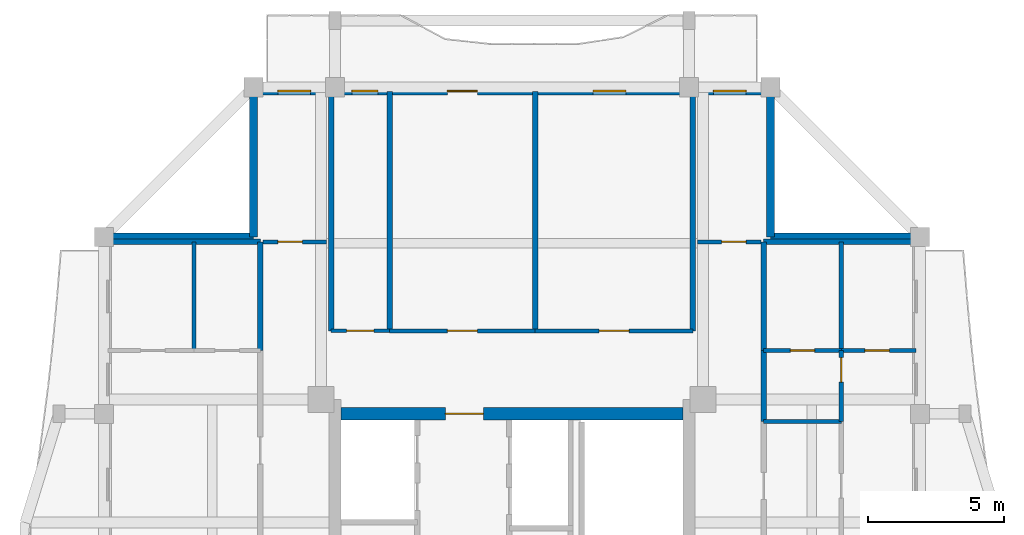
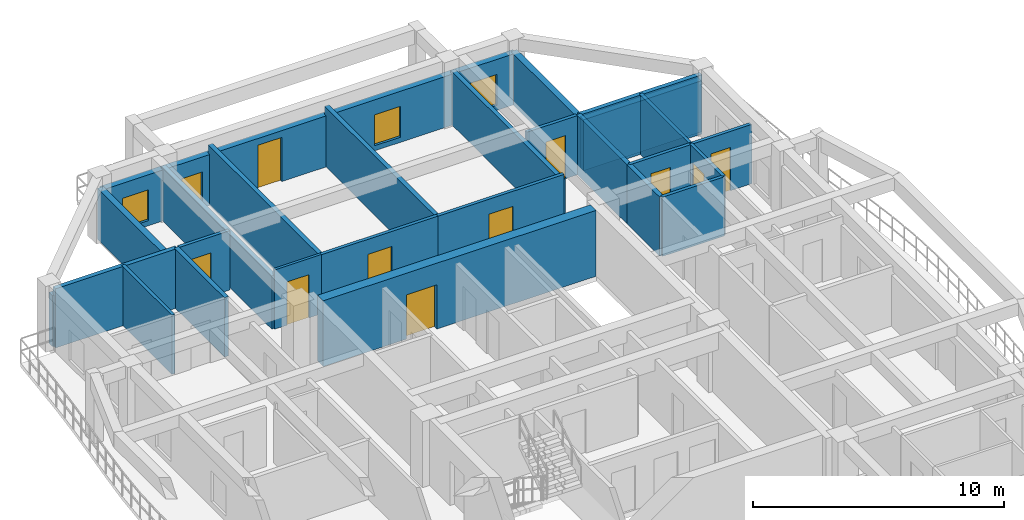
# One storey, part 5 of 11: 26 walls, 10 doors, 4 windows, 14 openings.
"""IFC4 building model written with IfcOpenShell, lengths in metres."""

from ifc_helpers import new_model, si_unit, direction, frame, frame_2d, origin, place, context, subcontext, project, spatial, rectangle, extrude, source, transform, mapped, material, layer, layer_set, type_object, element, fill, save


model = new_model("IFC4")

# Units and contexts
model_context = context("Model", 3, precision=1e-05, world=origin(), true_north=direction((0.0, 1.0)))
body_context = subcontext(model_context, "Body", "Model", "MODEL_VIEW")
ifc_project = project(units=[si_unit("LENGTHUNIT", "METRE"), si_unit("AREAUNIT", "SQUARE_METRE"), si_unit("VOLUMEUNIT", "CUBIC_METRE"), si_unit("PLANEANGLEUNIT", "RADIAN"), si_unit("MASSUNIT", "GRAM", prefix="KILO")], contexts=[model_context])

# Site, building, storey
site_placement = place(None, origin())
site = spatial("IfcSite", under=ifc_project, at=site_placement, CompositionType="ELEMENT")
building_placement = place(site_placement, origin())
building = spatial("IfcBuilding", under=site, at=building_placement, Name="Saelheon Loggia Tower", CompositionType="ELEMENT")
storey_placement = place(building_placement, frame((0.0, 0.0, 249.0)))
storey = spatial("IfcBuildingStorey", under=building, at=storey_placement, Name="L77", CompositionType="ELEMENT", Elevation=249.0)

# Wall, opening, door
ifc_material_1 = material(Name="Concrete C45/55", Category="concrete")
ifc_layer_1 = layer(ifc_material_1, 0.449951171875)
ifc_layer_set_1 = layer_set([ifc_layer_1], Name="Concrete C45/55")
wall_type_1 = type_object("IfcWallType", Name="Wall_CoreShear_450", PredefinedType="SHEAR", material=ifc_layer_set_1)
wall_1_placement = place(storey_placement, frame((31.72509765625, 36.0, 0.0), z_axis=(0.0, 0.0, 1.0), x_axis=(1.0, 0.0, 0.0)))
wall_1 = element("IfcWall", 1, at=wall_1_placement, inside=storey, type_object=wall_type_1, Name="L77 Core Shear Wall North", PredefinedType="SHEAR", context=body_context, shape_type="SweptSolid", body=[
    extrude(rectangle(XDim=12.5498046875, YDim=0.449951171875, at=frame_2d((6.27490234375, 0.0))), origin(), (0.0, 0.0, 1.0), 3.199951171875),
])
opening_1_placement = place(wall_1_placement, frame((5.224853515625, 0.0, 0.0), z_axis=(0.0, 0.0, 1.0), x_axis=(-1.0, 0.0, 0.0)))
opening_1 = element("IfcOpeningElement", 2, at=opening_1_placement, cuts=wall_1, Name="Opening D-FD2L", PredefinedType="OPENING", context=body_context, shape_type="SweptSolid", body=[
    extrude(rectangle(XDim=1.39990234375, YDim=2.14990234375, at=frame_2d((0.699951171875, 1.074951171875))), frame((0.0, 0.237060546875, 0.0), z_axis=(0.0, -1.0, 0.0), x_axis=(1.0, 0.0, 0.0)), (0.0, 0.0, 1.0), 0.473876953125),
])
ifc_material_2 = material(Name="Galvanised Steel Glazed Lobby Fire Door", Category="steel")
door_type_1 = type_object("IfcDoorType", Name="Door_Fire_FD60_1400", OperationType="NOTDEFINED", PredefinedType="DOOR", material=ifc_material_2)
shared_shape_1 = source(origin(), body_context, "Body", "SweptSolid", [
    extrude(rectangle(XDim=1.39990234375, YDim=2.14990234375, at=frame_2d((0.699951171875, 1.074951171875))), frame((0.0, 0.02490234375, 0.0), z_axis=(0.0, -1.0, 0.0), x_axis=(1.0, 0.0, 0.0)), (0.0, 0.0, 1.0), 0.050048828125),
])
door_1_placement = place(opening_1_placement, origin())
door_1 = element("IfcDoor", 3, at=door_1_placement, inside=storey, type_object=door_type_1, Name="L77 Passenger Lift Lobby Main Door", OperationType="SINGLE_SWING_RIGHT", OverallHeight=2.14990234375, OverallWidth=1.39990234375, PredefinedType="DOOR", context=body_context, shape_type="MappedRepresentation", body=[
    mapped(shared_shape_1, transform((0.0, 0.0, 0.0), scale=1.0)),
])
fill(opening_1, door_1)

# Wall, openings, windows, door
ifc_material_3 = material(Name="Architectural Precast Concrete C40/50", Category="concrete")
ifc_layer_2 = layer(ifc_material_3, 0.280029296875)
ifc_layer_set_2 = layer_set([ifc_layer_2], Name="Architectural Precast Concrete C40/50")
wall_type_2 = type_object("IfcWallType", Name="Wall_Ext_Loggia_280", PredefinedType="SOLIDWALL", material=ifc_layer_set_2)
wall_2_placement = place(storey_placement, frame((28.5, 47.860107421875, 0.0), z_axis=(0.0, 0.0, 1.0), x_axis=(1.0, 0.0, 0.0)))
wall_2 = element("IfcWall", 4, at=wall_2_placement, inside=storey, type_object=wall_type_2, Name="L77 North Loggia Inner Wall", PredefinedType="SOLIDWALL", context=body_context, shape_type="SweptSolid", body=[
    extrude(rectangle(XDim=19.0, YDim=0.280029296875, at=frame_2d((9.5, 0.0))), origin(), (0.0, 0.0, 1.0), 2.47998046875),
])
opening_2_placement = place(wall_2_placement, frame((0.89990234375, 0.0, 0.25)))
opening_2 = element("IfcOpeningElement", 5, at=opening_2_placement, cuts=wall_2, Name="Opening WN-03", PredefinedType="OPENING", context=body_context, shape_type="SweptSolid", body=[
    extrude(rectangle(XDim=1.199951171875, YDim=1.5, at=frame_2d((0.60009765625, 0.75))), frame((0.0, 0.152099609375, 0.0), z_axis=(0.0, -1.0, 0.0), x_axis=(1.0, 0.0, 0.0)), (0.0, 0.0, 1.0), 0.303955078125),
])
opening_3_placement = place(wall_2_placement, frame((3.6201171875, 0.0, 0.25)))
opening_3 = element("IfcOpeningElement", 6, at=opening_3_placement, cuts=wall_2, Name="Opening WN-04", PredefinedType="OPENING", context=body_context, shape_type="SweptSolid", body=[
    extrude(rectangle(XDim=0.949951171875, YDim=1.5, at=frame_2d((0.47509765625, 0.75))), frame((0.0, 0.152099609375, 0.0), z_axis=(0.0, -1.0, 0.0), x_axis=(1.0, 0.0, 0.0)), (0.0, 0.0, 1.0), 0.303955078125),
])
opening_4_placement = place(wall_2_placement, frame((7.1259765625, 0.0, 0.0)))
opening_4 = element("IfcOpeningElement", 7, at=opening_4_placement, cuts=wall_2, Name="Opening TD1", PredefinedType="OPENING", context=body_context, shape_type="SweptSolid", body=[
    extrude(rectangle(XDim=1.10009765625, YDim=2.14990234375, at=frame_2d((0.550048828125, 1.074951171875))), frame((0.0, 0.152099609375, 0.0), z_axis=(0.0, -1.0, 0.0), x_axis=(1.0, 0.0, 0.0)), (0.0, 0.0, 1.0), 0.303955078125),
])
opening_5_placement = place(wall_2_placement, frame((12.48095703125, 0.0, 0.25)))
opening_5 = element("IfcOpeningElement", 8, at=opening_5_placement, cuts=wall_2, Name="Opening WN-03", PredefinedType="OPENING", context=body_context, shape_type="SweptSolid", body=[
    extrude(rectangle(XDim=1.199951171875, YDim=1.5, at=frame_2d((0.60009765625, 0.75))), frame((0.0, 0.152099609375, 0.0), z_axis=(0.0, -1.0, 0.0), x_axis=(1.0, 0.0, 0.0)), (0.0, 0.0, 1.0), 0.303955078125),
])
opening_6_placement = place(wall_2_placement, frame((16.89990234375, 0.0, 0.25)))
opening_6 = element("IfcOpeningElement", 9, at=opening_6_placement, cuts=wall_2, Name="Opening WN-03", PredefinedType="OPENING", context=body_context, shape_type="SweptSolid", body=[
    extrude(rectangle(XDim=1.199951171875, YDim=1.5, at=frame_2d((0.60009765625, 0.75))), frame((0.0, 0.152099609375, 0.0), z_axis=(0.0, -1.0, 0.0), x_axis=(1.0, 0.0, 0.0)), (0.0, 0.0, 1.0), 0.303955078125),
])
ifc_material_4 = material(Name="Thermal-Break Aluminium and Triple Low-E Glass", Category="aluminium")
window_type_1 = type_object("IfcWindowType", Name="Win_Bedroom_1200x1500", PartitioningType="SINGLE_PANEL", PredefinedType="WINDOW", material=ifc_material_4)
shared_shape_2 = source(origin(), body_context, "Body", "SweptSolid", [
    extrude(rectangle(XDim=1.199951171875, YDim=1.5, at=frame_2d((0.60009765625, 0.75))), frame((0.0, 0.030029296875, 0.0), z_axis=(0.0, -1.0, 0.0), x_axis=(1.0, 0.0, 0.0)), (0.0, 0.0, 1.0), 0.06005859375),
])
window_1_placement = place(opening_2_placement, origin())
window_1 = element("IfcWindow", 10, at=window_1_placement, inside=storey, type_object=window_type_1, Name="L77 N Dwelling Window 1", OverallHeight=1.5, OverallWidth=1.199951171875, PartitioningType="SINGLE_PANEL", PredefinedType="WINDOW", context=body_context, shape_type="MappedRepresentation", body=[
    mapped(shared_shape_2, transform((0.0, 0.0, 0.0), scale=1.0)),
])
fill(opening_2, window_1)
window_2_placement = place(opening_5_placement, origin())
window_2 = element("IfcWindow", 11, at=window_2_placement, inside=storey, type_object=window_type_1, Name="L77 N Dwelling Window 4", OverallHeight=1.5, OverallWidth=1.199951171875, PartitioningType="SINGLE_PANEL", PredefinedType="WINDOW", context=body_context, shape_type="MappedRepresentation", body=[
    mapped(shared_shape_2, transform((0.0, 0.0, 0.0), scale=1.0)),
])
fill(opening_5, window_2)
window_3_placement = place(opening_6_placement, origin())
window_3 = element("IfcWindow", 12, at=window_3_placement, inside=storey, type_object=window_type_1, Name="L77 N Dwelling Window 5", OverallHeight=1.5, OverallWidth=1.199951171875, PartitioningType="SINGLE_PANEL", PredefinedType="WINDOW", context=body_context, shape_type="MappedRepresentation", body=[
    mapped(shared_shape_2, transform((0.0, 0.0, 0.0), scale=1.0)),
])
fill(opening_6, window_3)
ifc_material_5 = material(Name="Thermal-Break Aluminium Glazed Door", Category="aluminium")
door_type_2 = type_object("IfcDoorType", Name="Door_Terrace_TD1", OperationType="NOTDEFINED", PredefinedType="DOOR", material=ifc_material_5)
shared_shape_3 = source(origin(), body_context, "Body", "SweptSolid", [
    extrude(rectangle(XDim=1.10009765625, YDim=2.14990234375, at=frame_2d((0.550048828125, 1.074951171875))), frame((0.0, 0.02490234375, 0.0), z_axis=(0.0, -1.0, 0.0), x_axis=(1.0, 0.0, 0.0)), (0.0, 0.0, 1.0), 0.050048828125),
])
door_2_placement = place(opening_4_placement, origin())
door_2 = element("IfcDoor", 13, at=door_2_placement, inside=storey, type_object=door_type_2, Name="L77 N Loggia Access Door", OperationType="SINGLE_SWING_LEFT", OverallHeight=2.14990234375, OverallWidth=1.10009765625, PredefinedType="DOOR", context=body_context, shape_type="MappedRepresentation", body=[
    mapped(shared_shape_3, transform((0.0, 0.0, 0.0), scale=1.0)),
])
fill(opening_4, door_2)
window_type_2 = type_object("IfcWindowType", Name="Win_Narrow_950x1500", PartitioningType="SINGLE_PANEL", PredefinedType="WINDOW", material=ifc_material_4)
shared_shape_4 = source(origin(), body_context, "Body", "SweptSolid", [
    extrude(rectangle(XDim=0.949951171875, YDim=1.5, at=frame_2d((0.47509765625, 0.75))), frame((0.0, 0.030029296875, 0.0), z_axis=(0.0, -1.0, 0.0), x_axis=(1.0, 0.0, 0.0)), (0.0, 0.0, 1.0), 0.06005859375),
])
window_4_placement = place(opening_3_placement, origin())
window_4 = element("IfcWindow", 14, at=window_4_placement, inside=storey, type_object=window_type_2, Name="L77 N Dwelling Window 2", OverallHeight=1.5, OverallWidth=0.949951171875, PartitioningType="SINGLE_PANEL", PredefinedType="WINDOW", context=body_context, shape_type="MappedRepresentation", body=[
    mapped(shared_shape_4, transform((0.0, 0.0, 0.0), scale=1.0)),
])
fill(opening_3, window_4)

# Walls
for number, where, z_axis, x_axis, name in (
    (15, (28.5, 42.5, 0.0), (0.0, 0.0, 1.0), (0.0, 1.0, 0.0), "L77 Corner Notch Precast Wall NW1"),
    (16, (23.080078125, 42.5, 0.0), (0.0, 0.0, 1.0), (1.0, 0.0, 0.0), "L77 Corner Notch Precast Wall NW2"),
    (17, (47.5, 42.5, 0.0), (0.0, 0.0, 1.0), (0.0, 1.0, 0.0), "L77 Corner Notch Precast Wall NE1"),
    (18, (47.5, 42.5, 0.0), (0.0, 0.0, 1.0), (1.0, 0.0, 0.0), "L77 Corner Notch Precast Wall NE2"),
):
    element("IfcWall", number, at=place(storey_placement, frame(where, z_axis=z_axis, x_axis=x_axis)), inside=storey, type_object=wall_type_2, Name=name, PredefinedType="SOLIDWALL", context=body_context, shape_type="SweptSolid", body=[
        extrude(rectangle(XDim=5.419921875, YDim=0.280029296875, at=frame_2d((2.7099609375, 0.0))), origin(), (0.0, 0.0, 1.0), 2.47998046875),
    ])

# Wall, opening, door
ifc_material_6 = material(Name="Lightweight Autoclaved Aerated Concrete Block and Acoustic Gypsum", Category="concrete")
ifc_layer_3 = layer(ifc_material_6, 0.14990234375)
ifc_layer_set_3 = layer_set([ifc_layer_3], Name="Lightweight Autoclaved Aerated Concrete Block and Acoustic Gypsum")
wall_type_3 = type_object("IfcWallType", Name="Wall_Part_150", PredefinedType="PARTITIONING", material=ifc_layer_set_3)
wall_3_placement = place(storey_placement, frame((28.85009765625, 42.320068359375, 0.0), z_axis=(0.0, 0.0, 1.0), x_axis=(1.0, 0.0, 0.0)))
wall_3 = element("IfcWall", 19, at=wall_3_placement, inside=storey, type_object=wall_type_3, Name="PW-L77-CNW-H", PredefinedType="PARTITIONING", context=body_context, shape_type="SweptSolid", body=[
    extrude(rectangle(XDim=2.329833984375, YDim=0.14990234375, at=frame_2d((1.1650390625, 0.0))), origin(), (0.0, 0.0, 1.0), 2.8798828125),
])
opening_7_placement = place(wall_3_placement, frame((0.550048828125, 0.0, 0.0)))
opening_7 = element("IfcOpeningElement", 20, at=opening_7_placement, cuts=wall_3, Name="Opening D-IN2", PredefinedType="OPENING", context=body_context, shape_type="SweptSolid", body=[
    extrude(rectangle(XDim=0.89990234375, YDim=2.10009765625, at=frame_2d((0.449951171875, 1.050048828125))), frame((0.0, 0.0869140625, 0.0), z_axis=(0.0, -1.0, 0.0), x_axis=(1.0, 0.0, 0.0)), (0.0, 0.0, 1.0), 0.173828125),
])
ifc_material_7 = material(Name="Engineered Oak Flush Door", Category="timber")
door_type_3 = type_object("IfcDoorType", Name="Door_Int_900", OperationType="NOTDEFINED", PredefinedType="DOOR", material=ifc_material_7)
shared_shape_5 = source(origin(), body_context, "Body", "SweptSolid", [
    extrude(rectangle(XDim=0.89990234375, YDim=2.10009765625, at=frame_2d((0.449951171875, 1.050048828125))), frame((0.0, 0.02490234375, 0.0), z_axis=(0.0, -1.0, 0.0), x_axis=(1.0, 0.0, 0.0)), (0.0, 0.0, 1.0), 0.050048828125),
])
door_3_placement = place(opening_7_placement, origin())
door_3 = element("IfcDoor", 21, at=door_3_placement, inside=storey, type_object=door_type_3, Name="L77 Corner Home Office NW Door", OperationType="SINGLE_SWING_LEFT", OverallHeight=2.10009765625, OverallWidth=0.89990234375, PredefinedType="DOOR", context=body_context, shape_type="MappedRepresentation", body=[
    mapped(shared_shape_5, transform((0.0, 0.0, 0.0), scale=1.0)),
])
fill(opening_7, door_3)

wall_4_placement = place(storey_placement, frame((44.820068359375, 42.320068359375, 0.0), z_axis=(0.0, 0.0, 1.0), x_axis=(1.0, 0.0, 0.0)))
wall_4 = element("IfcWall", 22, at=wall_4_placement, inside=storey, type_object=wall_type_3, Name="PW-L77-CNE-H", PredefinedType="PARTITIONING", context=body_context, shape_type="SweptSolid", body=[
    extrude(rectangle(XDim=2.329833984375, YDim=0.14990234375, at=frame_2d((1.1650390625, 0.0))), origin(), (0.0, 0.0, 1.0), 2.8798828125),
])
opening_8_placement = place(wall_4_placement, frame((0.8798828125, 0.0, 0.0)))
opening_8 = element("IfcOpeningElement", 23, at=opening_8_placement, cuts=wall_4, Name="Opening D-IN2", PredefinedType="OPENING", context=body_context, shape_type="SweptSolid", body=[
    extrude(rectangle(XDim=0.89990234375, YDim=2.10009765625, at=frame_2d((0.449951171875, 1.050048828125))), frame((0.0, 0.0869140625, 0.0), z_axis=(0.0, -1.0, 0.0), x_axis=(1.0, 0.0, 0.0)), (0.0, 0.0, 1.0), 0.173828125),
])
door_4_placement = place(opening_8_placement, origin())
door_4 = element("IfcDoor", 24, at=door_4_placement, inside=storey, type_object=door_type_3, Name="L77 Corner Reading Room NE Door", OperationType="SINGLE_SWING_LEFT", OverallHeight=2.10009765625, OverallWidth=0.89990234375, PredefinedType="DOOR", context=body_context, shape_type="MappedRepresentation", body=[
    mapped(shared_shape_5, transform((0.0, 0.0, 0.0), scale=1.0)),
])
fill(opening_8, door_4)

wall_5_placement = place(storey_placement, frame((33.5, 39.050048828125, 0.0), z_axis=(0.0, 0.0, 1.0), x_axis=(1.0, 0.0, 0.0)))
wall_5 = element("IfcWall", 25, at=wall_5_placement, inside=storey, type_object=wall_type_3, Name="L77 N Partition V05", PredefinedType="PARTITIONING", context=body_context, shape_type="SweptSolid", body=[
    extrude(rectangle(XDim=5.35205078125, YDim=0.14990234375, at=frame_2d((2.676025390625, 0.0))), origin(), (0.0, 0.0, 1.0), 2.8798828125),
])
opening_9_placement = place(wall_5_placement, frame((2.1259765625, 0.0, 0.0)))
opening_9 = element("IfcOpeningElement", 26, at=opening_9_placement, cuts=wall_5, Name="Opening D-FD2", PredefinedType="OPENING", context=body_context, shape_type="SweptSolid", body=[
    extrude(rectangle(XDim=1.10009765625, YDim=2.14990234375, at=frame_2d((0.550048828125, 1.074951171875))), frame((0.0, 0.0869140625, 0.0), z_axis=(0.0, -1.0, 0.0), x_axis=(1.0, 0.0, 0.0)), (0.0, 0.0, 1.0), 0.173828125),
])
ifc_material_8 = material(Name="Galvanised Steel Fire Door", Category="steel")
door_type_4 = type_object("IfcDoorType", Name="Door_Fire_FD60_1100", OperationType="NOTDEFINED", PredefinedType="DOOR", material=ifc_material_8)
door_5_placement = place(opening_9_placement, origin())
door_5 = element("IfcDoor", 27, at=door_5_placement, inside=storey, type_object=door_type_4, Name="L77 Community Reading Library Door A", OperationType="SINGLE_SWING_LEFT", OverallHeight=2.14990234375, OverallWidth=1.10009765625, PredefinedType="DOOR", context=body_context, shape_type="MappedRepresentation", body=[
    mapped(shared_shape_3, transform((0.0, 0.0, 0.0), scale=1.0)),
])
fill(opening_9, door_5)

wall_6_placement = place(storey_placement, frame((38.85205078125, 39.050048828125, 0.0), z_axis=(0.0, 0.0, 1.0), x_axis=(1.0, 0.0, 0.0)))
wall_6 = element("IfcWall", 28, at=wall_6_placement, inside=storey, type_object=wall_type_3, Name="L77 N Partition V07", PredefinedType="PARTITIONING", context=body_context, shape_type="SweptSolid", body=[
    extrude(rectangle(XDim=5.7978515625, YDim=0.14990234375, at=frame_2d((2.89892578125, 0.0))), origin(), (0.0, 0.0, 1.0), 2.8798828125),
])
opening_10_placement = place(wall_6_placement, frame((2.34912109375, 0.0, 0.0)))
opening_10 = element("IfcOpeningElement", 29, at=opening_10_placement, cuts=wall_6, Name="Opening D-FD2", PredefinedType="OPENING", context=body_context, shape_type="SweptSolid", body=[
    extrude(rectangle(XDim=1.10009765625, YDim=2.14990234375, at=frame_2d((0.550048828125, 1.074951171875))), frame((0.0, 0.0869140625, 0.0), z_axis=(0.0, -1.0, 0.0), x_axis=(1.0, 0.0, 0.0)), (0.0, 0.0, 1.0), 0.173828125),
])
door_6_placement = place(opening_10_placement, origin())
door_6 = element("IfcDoor", 30, at=door_6_placement, inside=storey, type_object=door_type_4, Name="L77 Resident Seminar and Study Hall Door A", OperationType="SINGLE_SWING_RIGHT", OverallHeight=2.14990234375, OverallWidth=1.10009765625, PredefinedType="DOOR", context=body_context, shape_type="MappedRepresentation", body=[
    mapped(shared_shape_3, transform((0.0, 0.0, 0.0), scale=1.0)),
])
fill(opening_10, door_6)

# Walls
wall_7_placement = place(storey_placement, frame((26.31005859375, 38.320068359375, 0.0), z_axis=(0.0, 0.0, 1.0), x_axis=(0.0, 1.0, 0.0)))
element("IfcWall", 31, at=wall_7_placement, inside=storey, type_object=wall_type_3, Name="L77 W Partition V15", PredefinedType="PARTITIONING", context=body_context, shape_type="SweptSolid", body=[
    extrude(rectangle(XDim=4.0, YDim=0.14990234375, at=frame_2d((2.0, 0.0))), origin(), (0.0, 0.0, 1.0), 2.8798828125),
])
wall_8_placement = place(storey_placement, frame((47.25, 35.719970703125, 0.0), z_axis=(0.0, 0.0, 1.0), x_axis=(1.0, 0.0, 0.0)))
element("IfcWall", 32, at=wall_8_placement, inside=storey, type_object=wall_type_3, Name="L77 E Partition U14", PredefinedType="PARTITIONING", context=body_context, shape_type="SweptSolid", body=[
    extrude(rectangle(XDim=2.85009765625, YDim=0.14990234375, at=frame_2d((1.425048828125, 0.0))), origin(), (0.0, 0.0, 1.0), 2.8798828125),
])

# Wall, opening, door
wall_9_placement = place(storey_placement, frame((50.10009765625, 35.719970703125, 0.0), z_axis=(0.0, 0.0, 1.0), x_axis=(0.0, 1.0, 0.0)))
wall_9 = element("IfcWall", 33, at=wall_9_placement, inside=storey, type_object=wall_type_3, Name="L77 E Partition V16", PredefinedType="PARTITIONING", context=body_context, shape_type="SweptSolid", body=[
    extrude(rectangle(XDim=2.60009765625, YDim=0.14990234375, at=frame_2d((1.300048828125, 0.0))), origin(), (0.0, 0.0, 1.0), 2.8798828125),
])
opening_11_placement = place(wall_9_placement, frame((1.43994140625, 0.0, 0.0)))
opening_11 = element("IfcOpeningElement", 34, at=opening_11_placement, cuts=wall_9, Name="Opening D-IN2", PredefinedType="OPENING", context=body_context, shape_type="SweptSolid", body=[
    extrude(rectangle(XDim=0.89990234375, YDim=2.10009765625, at=frame_2d((0.449951171875, 1.050048828125))), frame((0.0, 0.0869140625, 0.0), z_axis=(0.0, -1.0, 0.0), x_axis=(1.0, 0.0, 0.0)), (0.0, 0.0, 1.0), 0.173828125),
])
door_7_placement = place(opening_11_placement, origin())
door_7 = element("IfcDoor", 35, at=door_7_placement, inside=storey, type_object=door_type_3, Name="Unit U02 Home Office Door", OperationType="SINGLE_SWING_RIGHT", OverallHeight=2.10009765625, OverallWidth=0.89990234375, PredefinedType="DOOR", context=body_context, shape_type="MappedRepresentation", body=[
    mapped(shared_shape_5, transform((0.0, 0.0, 0.0), scale=1.0)),
])
fill(opening_11, door_7)

# Wall
wall_10_placement = place(storey_placement, frame((50.10009765625, 38.320068359375, 0.0), z_axis=(0.0, 0.0, 1.0), x_axis=(0.0, 1.0, 0.0)))
element("IfcWall", 36, at=wall_10_placement, inside=storey, type_object=wall_type_3, Name="L77 E Partition V19", PredefinedType="PARTITIONING", context=body_context, shape_type="SweptSolid", body=[
    extrude(rectangle(XDim=4.0, YDim=0.14990234375, at=frame_2d((2.0, 0.0))), origin(), (0.0, 0.0, 1.0), 2.8798828125),
])

# Wall, opening, door
wall_11_placement = place(storey_placement, frame((47.25, 38.320068359375, 0.0), z_axis=(0.0, 0.0, 1.0), x_axis=(1.0, 0.0, 0.0)))
wall_11 = element("IfcWall", 37, at=wall_11_placement, inside=storey, type_object=wall_type_3, Name="L77 E Partition U23", PredefinedType="PARTITIONING", context=body_context, shape_type="SweptSolid", body=[
    extrude(rectangle(XDim=2.85009765625, YDim=0.14990234375, at=frame_2d((1.425048828125, 0.0))), origin(), (0.0, 0.0, 1.0), 2.8798828125),
])
opening_12_placement = place(wall_11_placement, frame((0.97509765625, 0.0, 0.0)))
opening_12 = element("IfcOpeningElement", 38, at=opening_12_placement, cuts=wall_11, Name="Opening D-IN2", PredefinedType="OPENING", context=body_context, shape_type="SweptSolid", body=[
    extrude(rectangle(XDim=0.89990234375, YDim=2.10009765625, at=frame_2d((0.449951171875, 1.050048828125))), frame((0.0, 0.0869140625, 0.0), z_axis=(0.0, -1.0, 0.0), x_axis=(1.0, 0.0, 0.0)), (0.0, 0.0, 1.0), 0.173828125),
])
door_8_placement = place(opening_12_placement, origin())
door_8 = element("IfcDoor", 39, at=door_8_placement, inside=storey, type_object=door_type_3, Name="Unit U02 Kitchen Door", OperationType="SINGLE_SWING_LEFT", OverallHeight=2.10009765625, OverallWidth=0.89990234375, PredefinedType="DOOR", context=body_context, shape_type="MappedRepresentation", body=[
    mapped(shared_shape_5, transform((0.0, 0.0, 0.0), scale=1.0)),
])
fill(opening_12, door_8)

wall_12_placement = place(storey_placement, frame((50.10009765625, 38.320068359375, 0.0), z_axis=(0.0, 0.0, 1.0), x_axis=(1.0, 0.0, 0.0)))
wall_12 = element("IfcWall", 40, at=wall_12_placement, inside=storey, type_object=wall_type_3, Name="L77 E Partition U24", PredefinedType="PARTITIONING", context=body_context, shape_type="SweptSolid", body=[
    extrude(rectangle(XDim=2.75, YDim=0.14990234375, at=frame_2d((1.375, 0.0))), origin(), (0.0, 0.0, 1.0), 2.8798828125),
])
opening_13_placement = place(wall_12_placement, frame((0.867919921875, 0.0, 0.0)))
opening_13 = element("IfcOpeningElement", 41, at=opening_13_placement, cuts=wall_12, Name="Opening D-IN2", PredefinedType="OPENING", context=body_context, shape_type="SweptSolid", body=[
    extrude(rectangle(XDim=0.89990234375, YDim=2.10009765625, at=frame_2d((0.449951171875, 1.050048828125))), frame((0.0, 0.0869140625, 0.0), z_axis=(0.0, -1.0, 0.0), x_axis=(1.0, 0.0, 0.0)), (0.0, 0.0, 1.0), 0.173828125),
])
door_9_placement = place(opening_13_placement, origin())
door_9 = element("IfcDoor", 42, at=door_9_placement, inside=storey, type_object=door_type_3, Name="Unit U02 Bedroom 1 Door", OperationType="SINGLE_SWING_RIGHT", OverallHeight=2.10009765625, OverallWidth=0.89990234375, PredefinedType="DOOR", context=body_context, shape_type="MappedRepresentation", body=[
    mapped(shared_shape_5, transform((0.0, 0.0, 0.0), scale=1.0)),
])
fill(opening_13, door_9)

# Walls
ifc_material_9 = material(Name="Double Acoustic Stud and Fireboard Partition", Category="gypsum")
ifc_layer_4 = layer(ifc_material_9, 0.199951171875)
ifc_layer_set_4 = layer_set([ifc_layer_4], Name="Double Acoustic Stud and Fireboard Partition")
wall_type_4 = type_object("IfcWallType", Name="Wall_Party_200", PredefinedType="PARTITIONING", material=ifc_layer_set_4)
for number, where, z_axis, x_axis, name in (
    (43, (31.35009765625, 39.050048828125, 0.0), (0.0, 0.0, 1.0), (0.0, 1.0, 0.0), "L77 N Partition U01"),
    (44, (44.64990234375, 39.050048828125, 0.0), (0.0, 0.0, 1.0), (0.0, 1.0, 0.0), "L77 N Partition U02"),
):
    element("IfcWall", number, at=place(storey_placement, frame(where, z_axis=z_axis, x_axis=x_axis)), inside=storey, type_object=wall_type_4, Name=name, PredefinedType="PARTITIONING", context=body_context, shape_type="SweptSolid", body=[
        extrude(rectangle(XDim=8.800048828125, YDim=0.199951171875, at=frame_2d((4.39990234375, 0.0))), origin(), (0.0, 0.0, 1.0), 2.590087890625),
    ])
for number, where, z_axis, x_axis, name in (
    (45, (33.5, 39.050048828125, 0.0), (0.0, 0.0, 1.0), (0.0, 1.0, 0.0), "L77 N Partition U03"),
    (46, (38.85205078125, 39.050048828125, 0.0), (0.0, 0.0, 1.0), (0.0, 1.0, 0.0), "L77 N Partition U06"),
):
    element("IfcWall", number, at=place(storey_placement, frame(where, z_axis=z_axis, x_axis=x_axis)), inside=storey, type_object=wall_type_4, Name=name, PredefinedType="PARTITIONING", context=body_context, shape_type="SweptSolid", body=[
        extrude(rectangle(XDim=8.800048828125, YDim=0.199951171875, at=frame_2d((4.39990234375, 0.0))), origin(), (0.0, 0.0, 1.0), 2.8798828125),
    ])
wall_13_placement = place(storey_placement, frame((28.75, 42.320068359375, 0.0), z_axis=(0.0, 0.0, 1.0), x_axis=(-1.0, 0.0, 0.0)))
element("IfcWall", 47, at=wall_13_placement, inside=storey, type_object=wall_type_4, Name="L77 W Partition U02", PredefinedType="PARTITIONING", context=body_context, shape_type="SweptSolid", body=[
    extrude(rectangle(XDim=5.60009765625, YDim=0.199951171875, at=frame_2d((2.800048828125, 0.0))), origin(), (0.0, 0.0, 1.0), 2.8798828125),
])
wall_14_placement = place(storey_placement, frame((28.75, 38.320068359375, 0.0), z_axis=(0.0, 0.0, 1.0), x_axis=(0.0, 1.0, 0.0)))
element("IfcWall", 48, at=wall_14_placement, inside=storey, type_object=wall_type_4, Name="L77 W Partition V13", PredefinedType="PARTITIONING", context=body_context, shape_type="SweptSolid", body=[
    extrude(rectangle(XDim=4.0, YDim=0.199951171875, at=frame_2d((2.0, 0.0))), origin(), (0.0, 0.0, 1.0), 2.8798828125),
])
wall_15_placement = place(storey_placement, frame((47.25, 42.320068359375, 0.0), z_axis=(0.0, 0.0, 1.0), x_axis=(1.0, 0.0, 0.0)))
element("IfcWall", 49, at=wall_15_placement, inside=storey, type_object=wall_type_4, Name="L77 E Partition U02", PredefinedType="PARTITIONING", context=body_context, shape_type="SweptSolid", body=[
    extrude(rectangle(XDim=5.60009765625, YDim=0.199951171875, at=frame_2d((2.800048828125, 0.0))), origin(), (0.0, 0.0, 1.0), 2.8798828125),
])
wall_16_placement = place(storey_placement, frame((47.25, 35.719970703125, 0.0), z_axis=(0.0, 0.0, 1.0), x_axis=(0.0, 1.0, 0.0)))
element("IfcWall", 50, at=wall_16_placement, inside=storey, type_object=wall_type_4, Name="L77 E Partition V13", PredefinedType="PARTITIONING", context=body_context, shape_type="SweptSolid", body=[
    extrude(rectangle(XDim=2.60009765625, YDim=0.199951171875, at=frame_2d((1.300048828125, 0.0))), origin(), (0.0, 0.0, 1.0), 2.8798828125),
])
wall_17_placement = place(storey_placement, frame((47.25, 38.320068359375, 0.0), z_axis=(0.0, 0.0, 1.0), x_axis=(0.0, 1.0, 0.0)))
element("IfcWall", 51, at=wall_17_placement, inside=storey, type_object=wall_type_4, Name="L77 E Partition V17", PredefinedType="PARTITIONING", context=body_context, shape_type="SweptSolid", body=[
    extrude(rectangle(XDim=4.0, YDim=0.199951171875, at=frame_2d((2.0, 0.0))), origin(), (0.0, 0.0, 1.0), 2.8798828125),
])

# Wall, opening, door
ifc_material_10 = material(Name="Moisture-Resistant Cement Board Partition", Category="gypsum")
ifc_layer_5 = layer(ifc_material_10, 0.1201171875)
ifc_layer_set_5 = layer_set([ifc_layer_5], Name="Moisture-Resistant Cement Board Partition")
wall_type_5 = type_object("IfcWallType", Name="Wall_WetPart_120", PredefinedType="PARTITIONING", material=ifc_layer_set_5)
wall_18_placement = place(storey_placement, frame((31.35009765625, 39.050048828125, 0.0), z_axis=(0.0, 0.0, 1.0), x_axis=(1.0, 0.0, 0.0)))
wall_18 = element("IfcWall", 52, at=wall_18_placement, inside=storey, type_object=wall_type_5, Name="L77 N Partition V04", PredefinedType="PARTITIONING", context=body_context, shape_type="SweptSolid", body=[
    extrude(rectangle(XDim=2.14990234375, YDim=0.1201171875, at=frame_2d((1.074951171875, 0.0))), origin(), (0.0, 0.0, 1.0), 2.8798828125),
])
opening_14_placement = place(wall_18_placement, frame((0.574951171875, 0.0, 0.0)))
opening_14 = element("IfcOpeningElement", 53, at=opening_14_placement, cuts=wall_18, Name="Opening D-AC1", PredefinedType="OPENING", context=body_context, shape_type="SweptSolid", body=[
    extrude(rectangle(XDim=1.0, YDim=2.10009765625, at=frame_2d((0.5, 1.050048828125))), frame((0.0, 0.072021484375, 0.0), z_axis=(0.0, -1.0, 0.0), x_axis=(1.0, 0.0, 0.0)), (0.0, 0.0, 1.0), 0.14404296875),
])
ifc_material_11 = material(Name="Accessible Laminate Flush Door", Category="timber")
door_type_5 = type_object("IfcDoorType", Name="Door_Acc_1000", OperationType="NOTDEFINED", PredefinedType="DOOR", material=ifc_material_11)
shared_shape_6 = source(origin(), body_context, "Body", "SweptSolid", [
    extrude(rectangle(XDim=1.0, YDim=2.10009765625, at=frame_2d((0.5, 1.050048828125))), frame((0.0, 0.02490234375, 0.0), z_axis=(0.0, -1.0, 0.0), x_axis=(1.0, 0.0, 0.0)), (0.0, 0.0, 1.0), 0.050048828125),
])
door_10_placement = place(opening_14_placement, origin())
door_10 = element("IfcDoor", 54, at=door_10_placement, inside=storey, type_object=door_type_5, Name="L77 Floor Accessible WC Door", OperationType="SINGLE_SWING_RIGHT", OverallHeight=2.10009765625, OverallWidth=1.0, PredefinedType="DOOR", context=body_context, shape_type="MappedRepresentation", body=[
    mapped(shared_shape_6, transform((0.0, 0.0, 0.0), scale=1.0)),
])
fill(opening_14, door_10)

save(model, "model.ifc")
